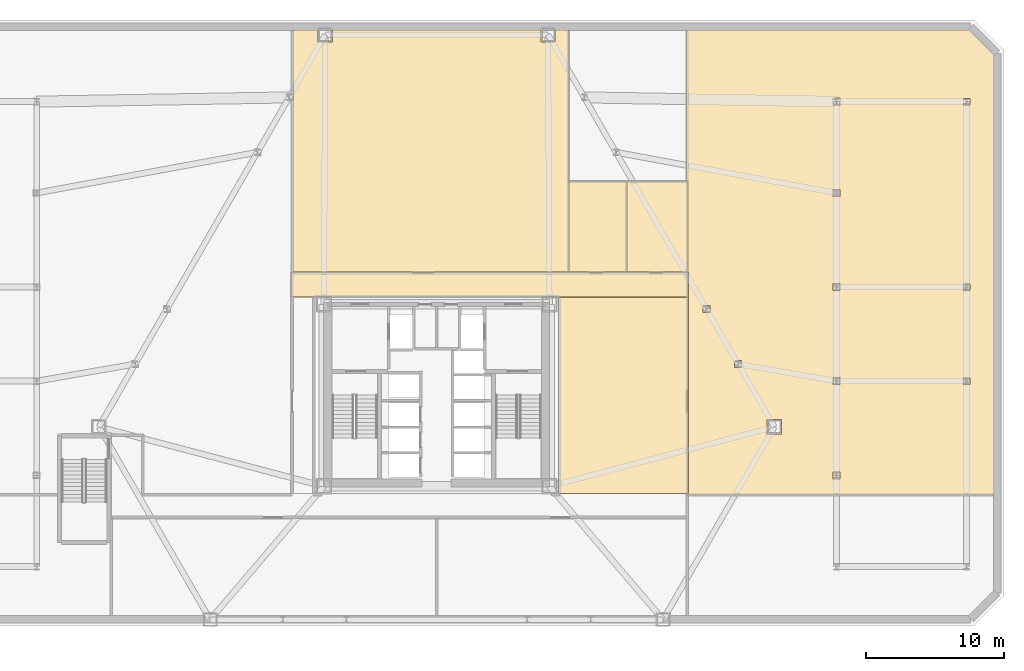
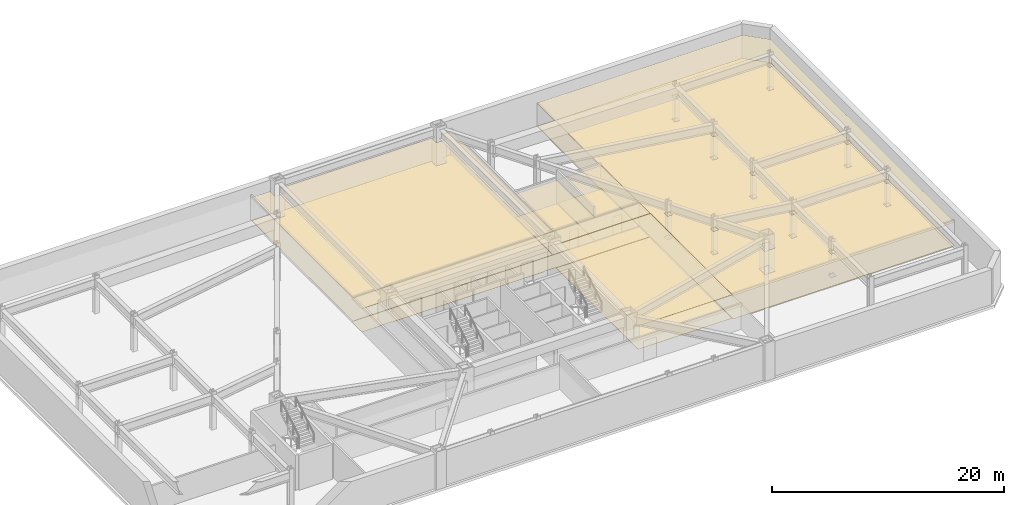
# One storey, part 10 of 10: 12 coverings.
"""IFC4 building model written with IfcOpenShell, lengths in metres."""

from ifc_helpers import new_model, si_unit, direction, frame, origin, place, context, subcontext, project, spatial, polyline, outline, extrude, material, layer, layer_set, type_object, element, save


model = new_model("IFC4")

# Units and contexts
model_context = context("Model", 3, precision=1e-05, world=origin(), true_north=direction((0.0, 1.0)))
body_context = subcontext(model_context, "Body", "Model", "MODEL_VIEW")
ifc_project = project(units=[si_unit("LENGTHUNIT", "METRE"), si_unit("AREAUNIT", "SQUARE_METRE"), si_unit("VOLUMEUNIT", "CUBIC_METRE"), si_unit("PLANEANGLEUNIT", "RADIAN"), si_unit("MASSUNIT", "GRAM", prefix="KILO")], contexts=[model_context])

# Site, building, storey
site_placement = place(None, origin())
site = spatial("IfcSite", under=ifc_project, at=site_placement, CompositionType="ELEMENT")
building_placement = place(site_placement, origin())
building = spatial("IfcBuilding", under=site, at=building_placement, Name="Oramaril Tower", CompositionType="ELEMENT")
storey_placement = place(building_placement, frame((0.0, 0.0, -4.0)))
storey = spatial("IfcBuildingStorey", under=building, at=storey_placement, Name="B01", CompositionType="ELEMENT", Elevation=-4.0)

# Coverings
ifc_material_1 = material(Name="Mineral Fibre Acoustic Ceiling")
ifc_layer_1 = layer(ifc_material_1, 0.02001953125)
ifc_layer_set_1 = layer_set([ifc_layer_1], Name="CVT-CEIL")
covering_type_1 = type_object("IfcCoveringType", Name="CVT-CEIL", PredefinedType="CEILING", material=ifc_layer_set_1)
covering_1_placement = place(storey_placement, frame((0.0, 0.0, 2.4619140625)))
element("IfcCovering", 1, at=covering_1_placement, inside=storey, type_object=covering_type_1, Name="B01 Acoustic Suspended Ceiling 2", PredefinedType="CEILING", context=body_context, shape_type="SweptSolid", body=[
    extrude(outline(polyline([(55.679931640625, 26.47998046875), (55.679931640625, 24.669921875), (46.219970703125, 24.669921875), (46.219970703125, 24.719970703125), (45.080078125, 24.719970703125), (45.080078125, 24.669921875), (29.919921875, 24.669921875), (29.919921875, 24.719970703125), (28.780029296875, 24.719970703125), (28.780029296875, 24.669921875), (26.969970703125, 24.669921875), (26.969970703125, 26.47998046875), (55.679931640625, 26.47998046875)])), origin(), (0.0, 0.0, 1.0), 0.02001953125),
])
covering_2_placement = place(storey_placement, frame((0.0, 0.0, 2.4619140625)))
element("IfcCovering", 2, at=covering_2_placement, inside=storey, type_object=covering_type_1, Name="B01 Acoustic Suspended Ceiling 4", PredefinedType="CEILING", context=body_context, shape_type="SweptSolid", body=[
    extrude(outline(polyline([(55.679931640625, 10.5), (46.300048828125, 10.5), (46.300048828125, 24.64990234375), (55.679931640625, 24.64990234375), (55.679931640625, 10.5)])), origin(), (0.0, 0.0, 1.0), 0.02001953125),
])
covering_3_placement = place(storey_placement, frame((0.0, 0.0, 2.4619140625)))
element("IfcCovering", 3, at=covering_3_placement, inside=storey, type_object=covering_type_1, Name="B01 Acoustic Suspended Ceiling 8", PredefinedType="CEILING", context=body_context, shape_type="SweptSolid", body=[
    extrude(outline(polyline([(28.931884765625, 43.9619140625), (28.931884765625, 43.1201171875), (29.9716796875, 43.1201171875), (29.9716796875, 43.9619140625), (45.0283203125, 43.9619140625), (45.0283203125, 43.1201171875), (46.068115234375, 43.1201171875), (46.068115234375, 43.9619140625), (47.0419921875, 43.9619140625), (47.0419921875, 26.5), (27.112060546875, 26.5), (27.112060546875, 43.9619140625), (28.931884765625, 43.9619140625)])), origin(), (0.0, 0.0, 1.0), 0.02001953125),
])
covering_4_placement = place(storey_placement, frame((0.0, 0.0, 2.4619140625)))
element("IfcCovering", 4, at=covering_4_placement, inside=storey, type_object=covering_type_1, Name="B01 Acoustic Suspended Ceiling 9", PredefinedType="CEILING", context=body_context, shape_type="SweptSolid", body=[
    extrude(outline(polyline([(51.241943359375, 33.0419921875), (51.241943359375, 26.5), (47.06201171875, 26.5), (47.06201171875, 33.0419921875), (51.241943359375, 33.0419921875)])), origin(), (0.0, 0.0, 1.0), 0.02001953125),
])
covering_5_placement = place(storey_placement, frame((0.0, 0.0, 2.4619140625)))
element("IfcCovering", 5, at=covering_5_placement, inside=storey, type_object=covering_type_1, Name="B01 Acoustic Suspended Ceiling 10", PredefinedType="CEILING", context=body_context, shape_type="SweptSolid", body=[
    extrude(outline(polyline([(55.64208984375, 33.0419921875), (55.64208984375, 26.5), (51.261962890625, 26.5), (51.261962890625, 33.0419921875), (55.64208984375, 33.0419921875)])), origin(), (0.0, 0.0, 1.0), 0.02001953125),
])
covering_6_placement = place(storey_placement, frame((0.0, 0.0, 2.4619140625)))
element("IfcCovering", 6, at=covering_6_placement, inside=storey, type_object=covering_type_1, Name="B01 Acoustic Suspended Ceiling 11", PredefinedType="CEILING", context=body_context, shape_type="SweptSolid", body=[
    extrude(outline(polyline([(77.761962890625, 42.1943359375), (77.761962890625, 10.35791015625), (55.699951171875, 10.35791015625), (55.699951171875, 10.47998046875), (55.699951171875, 10.48193359375), (55.69970703125, 10.48388671875), (55.69921875, 10.48583984375), (55.698486328125, 10.48779296875), (55.697509765625, 10.489501953125), (55.697265625, 10.489990234375), (55.697509765625, 10.490478515625), (55.698486328125, 10.4921875), (55.69921875, 10.494140625), (55.69970703125, 10.49609375), (55.699951171875, 10.498046875), (55.699951171875, 10.5), (55.699951171875, 24.64990234375), (55.699951171875, 24.652099609375), (55.69970703125, 24.65380859375), (55.69921875, 24.65576171875), (55.698486328125, 24.65771484375), (55.697509765625, 24.659423828125), (55.697265625, 24.659912109375), (55.697509765625, 24.66064453125), (55.698486328125, 24.662353515625), (55.69921875, 24.664306640625), (55.69970703125, 24.666015625), (55.699951171875, 24.66796875), (55.699951171875, 24.669921875), (55.699951171875, 26.47998046875), (55.699951171875, 26.48193359375), (55.69970703125, 26.48388671875), (55.69921875, 26.48583984375), (55.698486328125, 26.48779296875), (55.697509765625, 26.489501953125), (55.696533203125, 26.4912109375), (55.695556640625, 26.49267578125), (55.694091796875, 26.494140625), (55.692626953125, 26.49560546875), (55.691162109375, 26.49658203125), (55.689453125, 26.49755859375), (55.687744140625, 26.49853515625), (55.685791015625, 26.4990234375), (55.683837890625, 26.49951171875), (55.681884765625, 26.5), (55.679931640625, 26.5), (55.662109375, 26.5), (55.662109375, 33.0419921875), (55.661865234375, 33.0439453125), (55.66162109375, 33.0458984375), (55.6611328125, 33.0478515625), (55.660400390625, 33.0498046875), (55.65966796875, 33.051513671875), (55.65869140625, 33.052978515625), (55.657470703125, 33.0546875), (55.656005859375, 33.05615234375), (55.65478515625, 33.0576171875), (55.653076171875, 33.05859375), (55.6513671875, 33.0595703125), (55.649658203125, 33.060546875), (55.647705078125, 33.06103515625), (55.64599609375, 33.0615234375), (55.64404296875, 33.06201171875), (55.64208984375, 33.06201171875), (55.55810546875, 33.06201171875), (55.55810546875, 43.9619140625), (75.994384765625, 43.9619140625), (77.761962890625, 42.1943359375)]), holes=[polyline([(66.652587890625, 12.052490234375), (66.1474609375, 12.052490234375), (66.1474609375, 11.547607421875), (66.652587890625, 11.547607421875), (66.652587890625, 12.052490234375)]), polyline([(62.430419921875, 14.780029296875), (62.430419921875, 15.820068359375), (61.390380859375, 15.820068359375), (61.390380859375, 14.780029296875), (62.430419921875, 14.780029296875)]), polyline([(66.652587890625, 18.347412109375), (66.652587890625, 18.8525390625), (66.1474609375, 18.8525390625), (66.1474609375, 18.347412109375), (66.652587890625, 18.347412109375)]), polyline([(76.037109375, 18.8369140625), (75.56298828125, 18.8369140625), (75.56298828125, 18.363037109375), (76.037109375, 18.363037109375), (76.037109375, 18.8369140625)]), polyline([(59.544921875, 19.581787109375), (59.544921875, 20.0869140625), (59.039794921875, 20.0869140625), (59.039794921875, 19.581787109375), (59.544921875, 19.581787109375)]), polyline([(57.254150390625, 23.549560546875), (57.254150390625, 24.054443359375), (56.749267578125, 24.054443359375), (56.749267578125, 23.549560546875), (57.254150390625, 23.549560546875)]), polyline([(66.652587890625, 25.652587890625), (66.1474609375, 25.652587890625), (66.1474609375, 25.1474609375), (66.652587890625, 25.1474609375), (66.652587890625, 25.652587890625)]), polyline([(76.037109375, 25.1630859375), (76.037109375, 25.636962890625), (75.56298828125, 25.636962890625), (75.56298828125, 25.1630859375), (76.037109375, 25.1630859375)]), polyline([(66.652587890625, 31.947509765625), (66.652587890625, 32.452392578125), (66.1474609375, 32.452392578125), (66.1474609375, 31.947509765625), (66.652587890625, 31.947509765625)]), polyline([(66.652587890625, 38.547607421875), (66.652587890625, 39.052490234375), (66.1474609375, 39.052490234375), (66.1474609375, 38.547607421875), (66.652587890625, 38.547607421875)]), polyline([(76.037109375, 38.56298828125), (76.037109375, 39.037109375), (75.56298828125, 39.037109375), (75.56298828125, 38.56298828125), (76.037109375, 38.56298828125)])]), origin(), (0.0, 0.0, 1.0), 0.02001953125),
])
ifc_material_2 = material(Name="Honed Quartzite Stone Flooring", Category="masonry")
ifc_layer_2 = layer(ifc_material_2, 0.02490234375)
ifc_layer_set_2 = layer_set([ifc_layer_2], Name="CVT-FLR")
covering_type_2 = type_object("IfcCoveringType", Name="CVT-FLR", PredefinedType="FLOORING", material=ifc_layer_set_2)
covering_7_placement = place(storey_placement, origin())
element("IfcCovering", 7, at=covering_7_placement, inside=storey, type_object=covering_type_2, Name="B01 Honed Stone Floor Finish 2", PredefinedType="FLOORING", context=body_context, shape_type="SweptSolid", body=[
    extrude(outline(polyline([(55.679931640625, 26.47998046875), (55.679931640625, 24.669921875), (46.219970703125, 24.669921875), (46.219970703125, 24.719970703125), (45.080078125, 24.719970703125), (45.080078125, 24.669921875), (29.919921875, 24.669921875), (29.919921875, 24.719970703125), (28.780029296875, 24.719970703125), (28.780029296875, 24.669921875), (26.969970703125, 24.669921875), (26.969970703125, 26.47998046875), (55.679931640625, 26.47998046875)])), origin(), (0.0, 0.0, 1.0), 0.02490234375),
])
covering_8_placement = place(storey_placement, origin())
element("IfcCovering", 8, at=covering_8_placement, inside=storey, type_object=covering_type_2, Name="B01 Honed Stone Floor Finish 4", PredefinedType="FLOORING", context=body_context, shape_type="SweptSolid", body=[
    extrude(outline(polyline([(55.679931640625, 10.5), (46.300048828125, 10.5), (46.300048828125, 24.64990234375), (55.679931640625, 24.64990234375), (55.679931640625, 10.5)])), origin(), (0.0, 0.0, 1.0), 0.02490234375),
])
covering_9_placement = place(storey_placement, origin())
element("IfcCovering", 9, at=covering_9_placement, inside=storey, type_object=covering_type_2, Name="B01 Honed Stone Floor Finish 8", PredefinedType="FLOORING", context=body_context, shape_type="SweptSolid", body=[
    extrude(outline(polyline([(28.931884765625, 43.9619140625), (28.931884765625, 43.1201171875), (29.9716796875, 43.1201171875), (29.9716796875, 43.9619140625), (45.0283203125, 43.9619140625), (45.0283203125, 43.1201171875), (46.068115234375, 43.1201171875), (46.068115234375, 43.9619140625), (47.0419921875, 43.9619140625), (47.0419921875, 26.5), (27.112060546875, 26.5), (27.112060546875, 43.9619140625), (28.931884765625, 43.9619140625)])), origin(), (0.0, 0.0, 1.0), 0.02490234375),
])
covering_10_placement = place(storey_placement, origin())
element("IfcCovering", 10, at=covering_10_placement, inside=storey, type_object=covering_type_2, Name="B01 Honed Stone Floor Finish 9", PredefinedType="FLOORING", context=body_context, shape_type="SweptSolid", body=[
    extrude(outline(polyline([(51.241943359375, 33.0419921875), (51.241943359375, 26.5), (47.06201171875, 26.5), (47.06201171875, 33.0419921875), (51.241943359375, 33.0419921875)])), origin(), (0.0, 0.0, 1.0), 0.02490234375),
])
covering_11_placement = place(storey_placement, origin())
element("IfcCovering", 11, at=covering_11_placement, inside=storey, type_object=covering_type_2, Name="B01 Honed Stone Floor Finish 10", PredefinedType="FLOORING", context=body_context, shape_type="SweptSolid", body=[
    extrude(outline(polyline([(55.64208984375, 33.0419921875), (55.64208984375, 26.5), (51.261962890625, 26.5), (51.261962890625, 33.0419921875), (55.64208984375, 33.0419921875)])), origin(), (0.0, 0.0, 1.0), 0.02490234375),
])
covering_12_placement = place(storey_placement, origin())
element("IfcCovering", 12, at=covering_12_placement, inside=storey, type_object=covering_type_2, Name="B01 Honed Stone Floor Finish 11", PredefinedType="FLOORING", context=body_context, shape_type="SweptSolid", body=[
    extrude(outline(polyline([(77.761962890625, 42.1943359375), (77.761962890625, 10.35791015625), (55.699951171875, 10.35791015625), (55.699951171875, 10.47998046875), (55.699951171875, 10.48193359375), (55.69970703125, 10.48388671875), (55.69921875, 10.48583984375), (55.698486328125, 10.48779296875), (55.697509765625, 10.489501953125), (55.697265625, 10.489990234375), (55.697509765625, 10.490478515625), (55.698486328125, 10.4921875), (55.69921875, 10.494140625), (55.69970703125, 10.49609375), (55.699951171875, 10.498046875), (55.699951171875, 10.5), (55.699951171875, 24.64990234375), (55.699951171875, 24.652099609375), (55.69970703125, 24.65380859375), (55.69921875, 24.65576171875), (55.698486328125, 24.65771484375), (55.697509765625, 24.659423828125), (55.697265625, 24.659912109375), (55.697509765625, 24.66064453125), (55.698486328125, 24.662353515625), (55.69921875, 24.664306640625), (55.69970703125, 24.666015625), (55.699951171875, 24.66796875), (55.699951171875, 24.669921875), (55.699951171875, 26.47998046875), (55.699951171875, 26.48193359375), (55.69970703125, 26.48388671875), (55.69921875, 26.48583984375), (55.698486328125, 26.48779296875), (55.697509765625, 26.489501953125), (55.696533203125, 26.4912109375), (55.695556640625, 26.49267578125), (55.694091796875, 26.494140625), (55.692626953125, 26.49560546875), (55.691162109375, 26.49658203125), (55.689453125, 26.49755859375), (55.687744140625, 26.49853515625), (55.685791015625, 26.4990234375), (55.683837890625, 26.49951171875), (55.681884765625, 26.5), (55.679931640625, 26.5), (55.662109375, 26.5), (55.662109375, 33.0419921875), (55.661865234375, 33.0439453125), (55.66162109375, 33.0458984375), (55.6611328125, 33.0478515625), (55.660400390625, 33.0498046875), (55.65966796875, 33.051513671875), (55.65869140625, 33.052978515625), (55.657470703125, 33.0546875), (55.656005859375, 33.05615234375), (55.65478515625, 33.0576171875), (55.653076171875, 33.05859375), (55.6513671875, 33.0595703125), (55.649658203125, 33.060546875), (55.647705078125, 33.06103515625), (55.64599609375, 33.0615234375), (55.64404296875, 33.06201171875), (55.64208984375, 33.06201171875), (55.55810546875, 33.06201171875), (55.55810546875, 43.9619140625), (75.994384765625, 43.9619140625), (77.761962890625, 42.1943359375)]), holes=[polyline([(66.652587890625, 12.052490234375), (66.1474609375, 12.052490234375), (66.1474609375, 11.547607421875), (66.652587890625, 11.547607421875), (66.652587890625, 12.052490234375)]), polyline([(62.430419921875, 14.780029296875), (62.430419921875, 15.820068359375), (61.390380859375, 15.820068359375), (61.390380859375, 14.780029296875), (62.430419921875, 14.780029296875)]), polyline([(66.652587890625, 18.347412109375), (66.652587890625, 18.8525390625), (66.1474609375, 18.8525390625), (66.1474609375, 18.347412109375), (66.652587890625, 18.347412109375)]), polyline([(76.037109375, 18.8369140625), (75.56298828125, 18.8369140625), (75.56298828125, 18.363037109375), (76.037109375, 18.363037109375), (76.037109375, 18.8369140625)]), polyline([(59.544921875, 19.581787109375), (59.544921875, 20.0869140625), (59.039794921875, 20.0869140625), (59.039794921875, 19.581787109375), (59.544921875, 19.581787109375)]), polyline([(57.254150390625, 23.549560546875), (57.254150390625, 24.054443359375), (56.749267578125, 24.054443359375), (56.749267578125, 23.549560546875), (57.254150390625, 23.549560546875)]), polyline([(66.652587890625, 25.652587890625), (66.1474609375, 25.652587890625), (66.1474609375, 25.1474609375), (66.652587890625, 25.1474609375), (66.652587890625, 25.652587890625)]), polyline([(76.037109375, 25.1630859375), (76.037109375, 25.636962890625), (75.56298828125, 25.636962890625), (75.56298828125, 25.1630859375), (76.037109375, 25.1630859375)]), polyline([(66.652587890625, 31.947509765625), (66.652587890625, 32.452392578125), (66.1474609375, 32.452392578125), (66.1474609375, 31.947509765625), (66.652587890625, 31.947509765625)]), polyline([(66.652587890625, 38.547607421875), (66.652587890625, 39.052490234375), (66.1474609375, 39.052490234375), (66.1474609375, 38.547607421875), (66.652587890625, 38.547607421875)]), polyline([(76.037109375, 38.56298828125), (76.037109375, 39.037109375), (75.56298828125, 39.037109375), (75.56298828125, 38.56298828125), (76.037109375, 38.56298828125)])]), origin(), (0.0, 0.0, 1.0), 0.02490234375),
])

save(model, "model.ifc")
